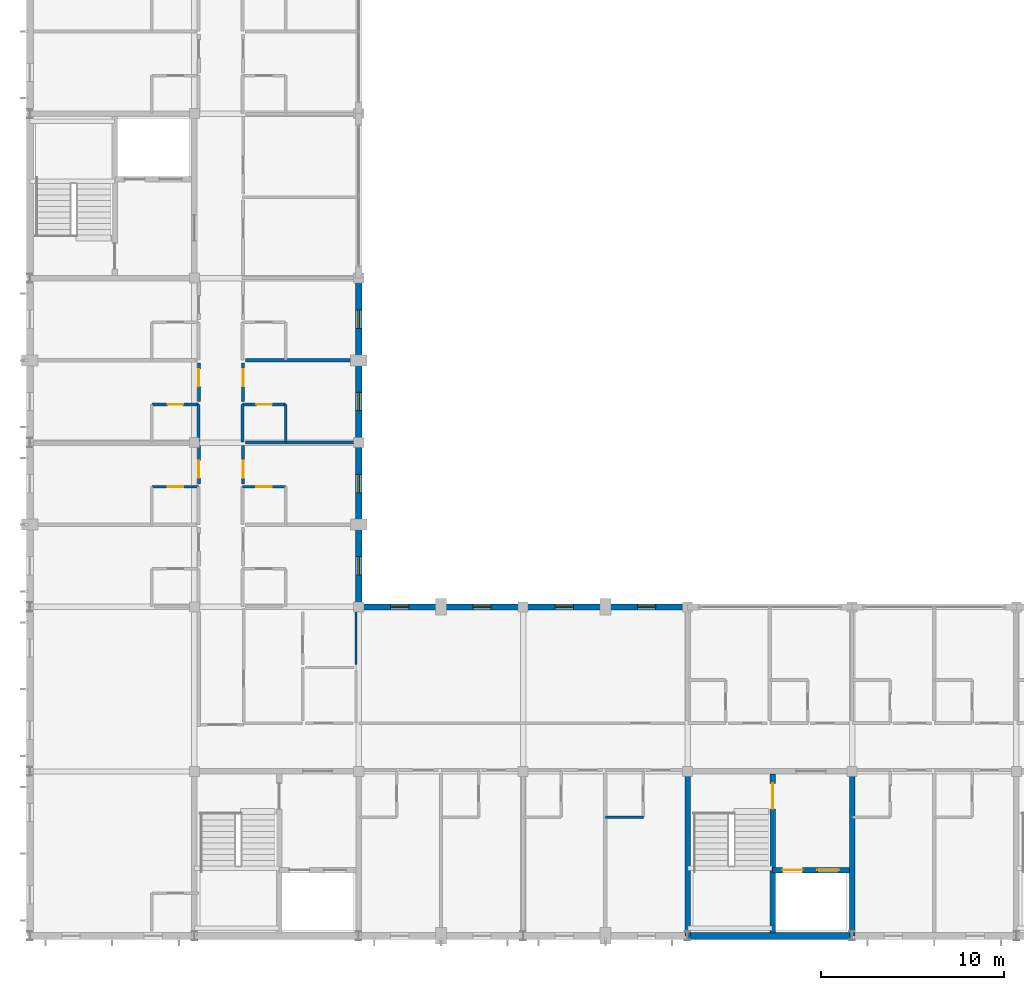
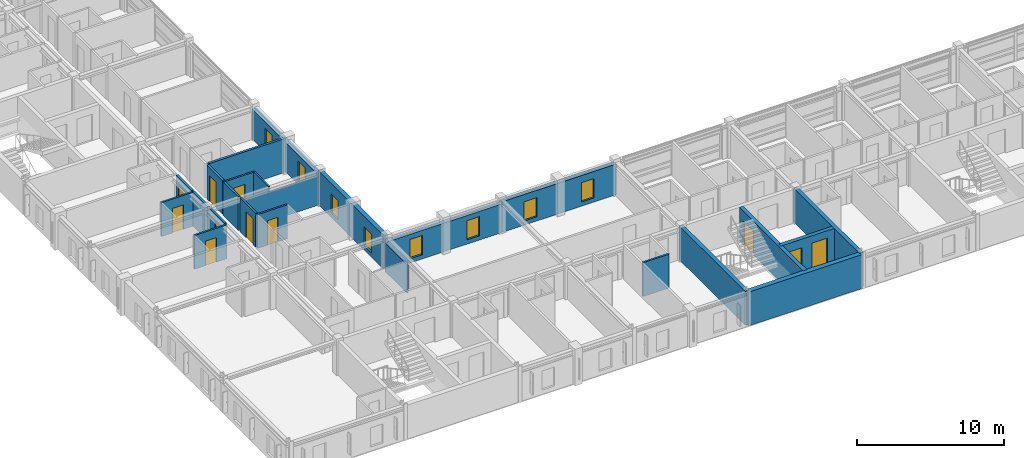
# One storey, part 19 of 37: 24 walls, 11 doors, 8 windows, 19 openings.
"""IFC4 building model written with IfcOpenShell, lengths in metres."""

from ifc_helpers import new_model, si_unit, direction, frame, frame_2d, origin, place, context, subcontext, project, spatial, rectangle, extrude, material, layer, layer_set, type_object, element, fill, save


model = new_model("IFC4")

# Units and contexts
model_context = context("Model", 3, precision=1e-05, world=origin(), true_north=direction((0.0, 1.0)))
body_context = subcontext(model_context, "Body", "Model", "MODEL_VIEW")
ifc_project = project(units=[si_unit("LENGTHUNIT", "METRE"), si_unit("AREAUNIT", "SQUARE_METRE"), si_unit("VOLUMEUNIT", "CUBIC_METRE"), si_unit("PLANEANGLEUNIT", "RADIAN"), si_unit("MASSUNIT", "GRAM", prefix="KILO")], contexts=[model_context])

# Site, building, storey
site_placement = place(None, origin())
site = spatial("IfcSite", under=ifc_project, at=site_placement, CompositionType="ELEMENT")
building_placement = place(site_placement, origin())
building = spatial("IfcBuilding", under=site, at=building_placement, Name="Palais des Congres Ocreval", CompositionType="ELEMENT")
storey_placement = place(building_placement, frame((0.0, 0.0, 11.52001953125)))
storey = spatial("IfcBuildingStorey", under=building, at=storey_placement, Name="L03", CompositionType="ELEMENT", Elevation=11.52001953125)

# Wall
ifc_material_1 = material(Name="Moisture-resistant gypsum board")
ifc_layer_1 = layer(ifc_material_1, 0.139892578125)
ifc_layer_set_1 = layer_set([ifc_layer_1], Name="Bathroom Plumbing Chase Wall 140 Gypsum (Moisture-resistant gypsum board)")
wall_type_1 = type_object("IfcWallType", Name="Bathroom Plumbing Chase Wall 140 Gypsum", PredefinedType="PLUMBINGWALL", material=ifc_layer_set_1)
wall_1_placement = place(storey_placement, frame((31.52001953125, 6.5, 0.0), z_axis=(0.0, 0.0, 1.0), x_axis=(1.0, 0.0, 0.0)))
element("IfcWall", 1, at=wall_1_placement, inside=storey, type_object=wall_type_1, Name="Bathroom Plumbing Wall PW03 L03", PredefinedType="PLUMBINGWALL", context=body_context, shape_type="SweptSolid", body=[
    extrude(rectangle(XDim=2.06005859375, YDim=0.139892578125, at=frame_2d((1.030029296875, 0.0))), origin(), (0.0, 0.0, 1.0), 2.820068359375),
])

# Wall, opening, door
wall_2_placement = place(storey_placement, frame((6.679931640625, 24.580078125, 0.0), z_axis=(0.0, 0.0, 1.0), x_axis=(1.0, 0.0, 0.0)))
wall_2 = element("IfcWall", 2, at=wall_2_placement, inside=storey, type_object=wall_type_1, Name="Bathroom Plumbing Wall PW03 L03", PredefinedType="PLUMBINGWALL", context=body_context, shape_type="SweptSolid", body=[
    extrude(rectangle(XDim=2.56005859375, YDim=0.139892578125, at=frame_2d((1.280029296875, 0.0))), origin(), (0.0, 0.0, 1.0), 2.820068359375),
])
opening_1_placement = place(wall_2_placement, frame((0.85498046875, 0.0, 0.0)))
opening_1 = element("IfcOpeningElement", 3, at=opening_1_placement, cuts=wall_2, Name="Opening D08", PredefinedType="OPENING", context=body_context, shape_type="SweptSolid", body=[
    extrude(rectangle(XDim=0.85009765625, YDim=2.0400390625, at=frame_2d((0.425048828125, 1.02001953125))), frame((0.0, 0.079833984375, 0.0), z_axis=(0.0, -1.0, 0.0), x_axis=(1.0, 0.0, 0.0)), (0.0, 0.0, 1.0), 0.159912109375),
])
ifc_material_2 = material(Name="Solid French oak", Category="wood")
door_type_1 = type_object("IfcDoorType", Name="En-Suite Bathroom Door 850x2040", OperationType="NOTDEFINED", PredefinedType="DOOR", material=ifc_material_2)
door_1_placement = place(opening_1_placement, origin())
door_1 = element("IfcDoor", 4, at=door_1_placement, inside=storey, type_object=door_type_1, Name="En-Suite Bathroom Door D08 L03", OperationType="SINGLE_SWING_RIGHT", OverallHeight=2.0400390625, OverallWidth=0.85009765625, PredefinedType="DOOR", context=body_context, shape_type="SweptSolid", body=[
    extrude(rectangle(XDim=0.85009765625, YDim=2.0400390625, at=frame_2d((0.425048828125, 1.02001953125))), frame((0.0, 0.02490234375, 0.0), z_axis=(0.0, -1.0, 0.0), x_axis=(1.0, 0.0, 0.0)), (0.0, 0.0, 1.0), 0.050048828125),
])
fill(opening_1, door_1)

wall_3_placement = place(storey_placement, frame((11.639892578125, 24.580078125, 0.0), z_axis=(0.0, 0.0, 1.0), x_axis=(1.0, 0.0, 0.0)))
wall_3 = element("IfcWall", 5, at=wall_3_placement, inside=storey, type_object=wall_type_1, Name="Bathroom Plumbing Wall PW03 L03", PredefinedType="PLUMBINGWALL", context=body_context, shape_type="SweptSolid", body=[
    extrude(rectangle(XDim=2.360107421875, YDim=0.139892578125, at=frame_2d((1.18017578125, 0.0))), origin(), (0.0, 0.0, 1.0), 2.820068359375),
])
opening_2_placement = place(wall_3_placement, frame((0.7548828125, 0.0, 0.0)))
opening_2 = element("IfcOpeningElement", 6, at=opening_2_placement, cuts=wall_3, Name="Opening D08", PredefinedType="OPENING", context=body_context, shape_type="SweptSolid", body=[
    extrude(rectangle(XDim=0.85009765625, YDim=2.0400390625, at=frame_2d((0.425048828125, 1.02001953125))), frame((0.0, 0.079833984375, 0.0), z_axis=(0.0, -1.0, 0.0), x_axis=(1.0, 0.0, 0.0)), (0.0, 0.0, 1.0), 0.159912109375),
])
door_2_placement = place(opening_2_placement, origin())
door_2 = element("IfcDoor", 7, at=door_2_placement, inside=storey, type_object=door_type_1, Name="En-Suite Bathroom Door D08 L03", OperationType="SINGLE_SWING_RIGHT", OverallHeight=2.0400390625, OverallWidth=0.85009765625, PredefinedType="DOOR", context=body_context, shape_type="SweptSolid", body=[
    extrude(rectangle(XDim=0.85009765625, YDim=2.0400390625, at=frame_2d((0.425048828125, 1.02001953125))), frame((0.0, 0.02490234375, 0.0), z_axis=(0.0, -1.0, 0.0), x_axis=(1.0, 0.0, 0.0)), (0.0, 0.0, 1.0), 0.050048828125),
])
fill(opening_2, door_2)

wall_4_placement = place(storey_placement, frame((6.679931640625, 29.080078125, 0.0), z_axis=(0.0, 0.0, 1.0), x_axis=(1.0, 0.0, 0.0)))
wall_4 = element("IfcWall", 8, at=wall_4_placement, inside=storey, type_object=wall_type_1, Name="Bathroom Plumbing Wall PW03 L03", PredefinedType="PLUMBINGWALL", context=body_context, shape_type="SweptSolid", body=[
    extrude(rectangle(XDim=2.56005859375, YDim=0.139892578125, at=frame_2d((1.280029296875, 0.0))), origin(), (0.0, 0.0, 1.0), 2.820068359375),
])
opening_3_placement = place(wall_4_placement, frame((0.85498046875, 0.0, 0.0)))
opening_3 = element("IfcOpeningElement", 9, at=opening_3_placement, cuts=wall_4, Name="Opening D08", PredefinedType="OPENING", context=body_context, shape_type="SweptSolid", body=[
    extrude(rectangle(XDim=0.85009765625, YDim=2.0400390625, at=frame_2d((0.425048828125, 1.02001953125))), frame((0.0, 0.079833984375, 0.0), z_axis=(0.0, -1.0, 0.0), x_axis=(1.0, 0.0, 0.0)), (0.0, 0.0, 1.0), 0.159912109375),
])
door_3_placement = place(opening_3_placement, origin())
door_3 = element("IfcDoor", 10, at=door_3_placement, inside=storey, type_object=door_type_1, Name="En-Suite Bathroom Door D08 L03", OperationType="SINGLE_SWING_LEFT", OverallHeight=2.0400390625, OverallWidth=0.85009765625, PredefinedType="DOOR", context=body_context, shape_type="SweptSolid", body=[
    extrude(rectangle(XDim=0.85009765625, YDim=2.0400390625, at=frame_2d((0.425048828125, 1.02001953125))), frame((0.0, 0.02490234375, 0.0), z_axis=(0.0, -1.0, 0.0), x_axis=(1.0, 0.0, 0.0)), (0.0, 0.0, 1.0), 0.050048828125),
])
fill(opening_3, door_3)

wall_5_placement = place(storey_placement, frame((11.639892578125, 29.080078125, 0.0), z_axis=(0.0, 0.0, 1.0), x_axis=(1.0, 0.0, 0.0)))
wall_5 = element("IfcWall", 11, at=wall_5_placement, inside=storey, type_object=wall_type_1, Name="Bathroom Plumbing Wall PW03 L03", PredefinedType="PLUMBINGWALL", context=body_context, shape_type="SweptSolid", body=[
    extrude(rectangle(XDim=2.360107421875, YDim=0.139892578125, at=frame_2d((1.18017578125, 0.0))), origin(), (0.0, 0.0, 1.0), 2.820068359375),
])
opening_4_placement = place(wall_5_placement, frame((0.7548828125, 0.0, 0.0)))
opening_4 = element("IfcOpeningElement", 12, at=opening_4_placement, cuts=wall_5, Name="Opening D08", PredefinedType="OPENING", context=body_context, shape_type="SweptSolid", body=[
    extrude(rectangle(XDim=0.85009765625, YDim=2.0400390625, at=frame_2d((0.425048828125, 1.02001953125))), frame((0.0, 0.079833984375, 0.0), z_axis=(0.0, -1.0, 0.0), x_axis=(1.0, 0.0, 0.0)), (0.0, 0.0, 1.0), 0.159912109375),
])
door_4_placement = place(opening_4_placement, origin())
door_4 = element("IfcDoor", 13, at=door_4_placement, inside=storey, type_object=door_type_1, Name="En-Suite Bathroom Door D08 L03", OperationType="SINGLE_SWING_LEFT", OverallHeight=2.0400390625, OverallWidth=0.85009765625, PredefinedType="DOOR", context=body_context, shape_type="SweptSolid", body=[
    extrude(rectangle(XDim=0.85009765625, YDim=2.0400390625, at=frame_2d((0.425048828125, 1.02001953125))), frame((0.0, 0.02490234375, 0.0), z_axis=(0.0, -1.0, 0.0), x_axis=(1.0, 0.0, 0.0)), (0.0, 0.0, 1.0), 0.050048828125),
])
fill(opening_4, door_4)

# Walls
wall_6_placement = place(storey_placement, frame((14.0, 27.02001953125, 0.0), z_axis=(0.0, 0.0, 1.0), x_axis=(0.0, 1.0, 0.0)))
element("IfcWall", 14, at=wall_6_placement, inside=storey, type_object=wall_type_1, Name="Bathroom Plumbing Wall PW03 L03", PredefinedType="PLUMBINGWALL", context=body_context, shape_type="SweptSolid", body=[
    extrude(rectangle(XDim=2.06005859375, YDim=0.139892578125, at=frame_2d((1.030029296875, 0.0))), origin(), (0.0, 0.0, 1.0), 2.820068359375),
])
ifc_material_3 = material(Name="Concrete C40/50", Category="concrete")
ifc_layer_2 = layer(ifc_material_3, 0.300048828125)
ifc_layer_set_2 = layer_set([ifc_layer_2], Name="Core Shear Wall 300 Concrete C40/50")
wall_type_2 = type_object("IfcWallType", Name="Core Shear Wall 300 Concrete C40/50", PredefinedType="SHEAR", material=ifc_layer_set_2)
for number, where, z_axis, x_axis, name in (
    (15, (45.0, 0.0, 0.0), (0.0, 0.0, 1.0), (0.0, 1.0, 0.0), "Core Shear Wall SC02 L03 E"),
    (16, (36.0, 0.0, 0.0), (0.0, 0.0, 1.0), (0.0, 1.0, 0.0), "Core Shear Wall SC02 L03 W"),
):
    element("IfcWall", number, at=place(storey_placement, frame(where, z_axis=z_axis, x_axis=x_axis)), inside=storey, type_object=wall_type_2, Name=name, PredefinedType="SHEAR", context=body_context, shape_type="SweptSolid", body=[
        extrude(rectangle(XDim=9.0, YDim=0.300048828125, at=frame_2d((4.5, 0.0))), origin(), (0.0, 0.0, 1.0), 2.820068359375),
    ])

# Wall, opening, door
wall_7_placement = place(storey_placement, frame((40.64990234375, 0.14990234375, 0.0), z_axis=(0.0, 0.0, 1.0), x_axis=(0.0, 1.0, 0.0)))
wall_7 = element("IfcWall", 17, at=wall_7_placement, inside=storey, type_object=wall_type_2, Name="Core Spine Shear Wall SC02 L03", PredefinedType="SHEAR", context=body_context, shape_type="SweptSolid", body=[
    extrude(rectangle(XDim=8.7001953125, YDim=0.300048828125, at=frame_2d((4.35009765625, 0.0))), origin(), (0.0, 0.0, 1.0), 2.820068359375),
])
opening_5_placement = place(wall_7_placement, frame((6.800048828125, 0.0, 0.0)))
opening_5 = element("IfcOpeningElement", 18, at=opening_5_placement, cuts=wall_7, Name="Opening D03", PredefinedType="OPENING", context=body_context, shape_type="SweptSolid", body=[
    extrude(rectangle(XDim=1.39990234375, YDim=2.02001953125, at=frame_2d((0.699951171875, 1.010009765625))), frame((0.0, 0.159912109375, 0.0), z_axis=(0.0, -1.0, 0.0), x_axis=(1.0, 0.0, 0.0)), (0.0, 0.0, 1.0), 0.320068359375),
])
ifc_material_4 = material(Name="Painted fire-rated steel", Category="steel")
door_type_2 = type_object("IfcDoorType", Name="Core Lobby Rated Door 1400x2020", OperationType="NOTDEFINED", PredefinedType="DOOR", material=ifc_material_4)
door_5_placement = place(opening_5_placement, origin())
door_5 = element("IfcDoor", 19, at=door_5_placement, inside=storey, type_object=door_type_2, Name="Protected Exit Stair Door ST02 L03", OperationType="SINGLE_SWING_RIGHT", OverallHeight=2.02001953125, OverallWidth=1.39990234375, PredefinedType="DOOR", context=body_context, shape_type="SweptSolid", body=[
    extrude(rectangle(XDim=1.39990234375, YDim=2.02001953125, at=frame_2d((0.699951171875, 1.010009765625))), frame((0.0, 0.02490234375, 0.0), z_axis=(0.0, -1.0, 0.0), x_axis=(1.0, 0.0, 0.0)), (0.0, 0.0, 1.0), 0.050048828125),
])
fill(opening_5, door_5)

# Wall, openings, doors
wall_8_placement = place(storey_placement, frame((40.64990234375, 3.60009765625, 0.0), z_axis=(0.0, 0.0, 1.0), x_axis=(1.0, 0.0, 0.0)))
wall_8 = element("IfcWall", 20, at=wall_8_placement, inside=storey, type_object=wall_type_2, Name="Lift Shaft Front Wall SC02 L03", PredefinedType="SHEAR", context=body_context, shape_type="SweptSolid", body=[
    extrude(rectangle(XDim=4.2001953125, YDim=0.300048828125, at=frame_2d((2.10009765625, 0.0))), origin(), (0.0, 0.0, 1.0), 2.820068359375),
])
opening_6_placement = place(wall_8_placement, frame((0.550048828125, 0.0, 0.0)))
opening_6 = element("IfcOpeningElement", 21, at=opening_6_placement, cuts=wall_8, Name="Opening LD01", PredefinedType="OPENING", context=body_context, shape_type="SweptSolid", body=[
    extrude(rectangle(XDim=1.10009765625, YDim=2.10009765625, at=frame_2d((0.550048828125, 1.050048828125))), frame((0.0, 0.159912109375, 0.0), z_axis=(0.0, -1.0, 0.0), x_axis=(1.0, 0.0, 0.0)), (0.0, 0.0, 1.0), 0.320068359375),
])
opening_7_placement = place(wall_8_placement, frame((2.449951171875, 0.0, 0.0)))
opening_7 = element("IfcOpeningElement", 22, at=opening_7_placement, cuts=wall_8, Name="Opening LD02", PredefinedType="OPENING", context=body_context, shape_type="SweptSolid", body=[
    extrude(rectangle(XDim=1.199951171875, YDim=2.199951171875, at=frame_2d((0.60009765625, 1.10009765625))), frame((0.0, 0.159912109375, 0.0), z_axis=(0.0, -1.0, 0.0), x_axis=(1.0, 0.0, 0.0)), (0.0, 0.0, 1.0), 0.320068359375),
])
ifc_material_5 = material(Name="Stainless steel", Category="steel")
door_type_3 = type_object("IfcDoorType", Name="Firefighting Lift Sliding Landing Door 1100x2100", OperationType="NOTDEFINED", PredefinedType="DOOR", material=ifc_material_5)
door_6_placement = place(opening_6_placement, origin())
door_6 = element("IfcDoor", 23, at=door_6_placement, inside=storey, type_object=door_type_3, Name="Lift Landing Sliding Door FF2 L03", OperationType="DOUBLE_DOOR_SLIDING", OverallHeight=2.10009765625, OverallWidth=1.10009765625, PredefinedType="DOOR", context=body_context, shape_type="SweptSolid", body=[
    extrude(rectangle(XDim=1.10009765625, YDim=2.10009765625, at=frame_2d((0.550048828125, 1.050048828125))), frame((0.0, 0.02490234375, 0.0), z_axis=(0.0, -1.0, 0.0), x_axis=(1.0, 0.0, 0.0)), (0.0, 0.0, 1.0), 0.050048828125),
])
fill(opening_6, door_6)
ifc_material_6 = material(Name="Anodized bronze steel", Category="steel")
door_type_4 = type_object("IfcDoorType", Name="Passenger and Service Lift Sliding Door 1200x2200", OperationType="NOTDEFINED", PredefinedType="DOOR", material=ifc_material_6)
door_7_placement = place(opening_7_placement, origin())
door_7 = element("IfcDoor", 24, at=door_7_placement, inside=storey, type_object=door_type_4, Name="Lift Landing Sliding Door PL2 L03", OperationType="DOUBLE_DOOR_SLIDING", OverallHeight=2.199951171875, OverallWidth=1.199951171875, PredefinedType="DOOR", context=body_context, shape_type="SweptSolid", body=[
    extrude(rectangle(XDim=1.199951171875, YDim=2.199951171875, at=frame_2d((0.60009765625, 1.10009765625))), frame((0.0, 0.02490234375, 0.0), z_axis=(0.0, -1.0, 0.0), x_axis=(1.0, 0.0, 0.0)), (0.0, 0.0, 1.0), 0.050048828125),
])
fill(opening_7, door_7)

# Walls
ifc_material_7 = material(Name="Gypsum acoustic partition")
ifc_layer_3 = layer(ifc_material_7, 0.159912109375)
ifc_layer_set_3 = layer_set([ifc_layer_3], Name="Corridor Fire Partition 160 Gypsum (Gypsum acoustic partition)")
wall_type_3 = type_object("IfcWallType", Name="Corridor Fire Partition 160 Gypsum", PredefinedType="PARTITIONING", material=ifc_layer_set_3)
for number, where, z_axis, x_axis, name in (
    (25, (9.239990234375, 27.02001953125, 0.0), (0.0, 0.0, 1.0), (0.0, 1.0, 0.0), "Corridor Partition IW03 L03"),
    (26, (11.639892578125, 27.02001953125, 0.0), (0.0, 0.0, 1.0), (0.0, 1.0, 0.0), "Corridor Partition IW03 L03"),
):
    element("IfcWall", number, at=place(storey_placement, frame(where, z_axis=z_axis, x_axis=x_axis)), inside=storey, type_object=wall_type_3, Name=name, PredefinedType="PARTITIONING", context=body_context, shape_type="SweptSolid", body=[
        extrude(rectangle(XDim=2.06005859375, YDim=0.159912109375, at=frame_2d((1.030029296875, 0.0))), origin(), (0.0, 0.0, 1.0), 2.820068359375),
    ])

# Wall, opening, door
wall_9_placement = place(storey_placement, frame((9.25, 24.735107421875, 0.0), z_axis=(0.0, 0.0, 1.0), x_axis=(0.0, 1.0, 0.0)))
wall_9 = element("IfcWall", 27, at=wall_9_placement, inside=storey, type_object=wall_type_3, Name="Interior Partition IW03 L03", PredefinedType="PARTITIONING", context=body_context, shape_type="SweptSolid", body=[
    extrude(rectangle(XDim=2.10986328125, YDim=0.159912109375, at=frame_2d((1.054931640625, 0.0))), origin(), (0.0, 0.0, 1.0), 2.820068359375),
])
opening_8_placement = place(wall_9_placement, frame((0.326904296875, 0.0, 0.0)))
opening_8 = element("IfcOpeningElement", 28, at=opening_8_placement, cuts=wall_9, Name="Opening D05", PredefinedType="OPENING", context=body_context, shape_type="SweptSolid", body=[
    extrude(rectangle(XDim=0.949951171875, YDim=2.14990234375, at=frame_2d((0.47509765625, 1.074951171875))), frame((0.0, 0.08984375, 0.0), z_axis=(0.0, -1.0, 0.0), x_axis=(1.0, 0.0, 0.0)), (0.0, 0.0, 1.0), 0.179931640625),
])
door_type_5 = type_object("IfcDoorType", Name="Hotel Guestroom Entrance Door 950x2150", OperationType="NOTDEFINED", PredefinedType="DOOR", material=ifc_material_2)
door_8_placement = place(opening_8_placement, origin())
door_8 = element("IfcDoor", 29, at=door_8_placement, inside=storey, type_object=door_type_5, Name="Interior Door D05 L03", OperationType="SINGLE_SWING_RIGHT", OverallHeight=2.14990234375, OverallWidth=0.949951171875, PredefinedType="DOOR", context=body_context, shape_type="SweptSolid", body=[
    extrude(rectangle(XDim=0.949951171875, YDim=2.14990234375, at=frame_2d((0.47509765625, 1.074951171875))), frame((0.0, 0.02490234375, 0.0), z_axis=(0.0, -1.0, 0.0), x_axis=(1.0, 0.0, 0.0)), (0.0, 0.0, 1.0), 0.050048828125),
])
fill(opening_8, door_8)

wall_10_placement = place(storey_placement, frame((11.669921875, 24.735107421875, 0.0), z_axis=(0.0, 0.0, 1.0), x_axis=(0.0, 1.0, 0.0)))
wall_10 = element("IfcWall", 30, at=wall_10_placement, inside=storey, type_object=wall_type_3, Name="Interior Partition IW03 L03", PredefinedType="PARTITIONING", context=body_context, shape_type="SweptSolid", body=[
    extrude(rectangle(XDim=2.10986328125, YDim=0.159912109375, at=frame_2d((1.054931640625, 0.0))), origin(), (0.0, 0.0, 1.0), 2.820068359375),
])
opening_9_placement = place(wall_10_placement, frame((0.326904296875, 0.0, 0.0)))
opening_9 = element("IfcOpeningElement", 31, at=opening_9_placement, cuts=wall_10, Name="Opening D05", PredefinedType="OPENING", context=body_context, shape_type="SweptSolid", body=[
    extrude(rectangle(XDim=0.949951171875, YDim=2.14990234375, at=frame_2d((0.47509765625, 1.074951171875))), frame((0.0, 0.08984375, 0.0), z_axis=(0.0, -1.0, 0.0), x_axis=(1.0, 0.0, 0.0)), (0.0, 0.0, 1.0), 0.179931640625),
])
door_9_placement = place(opening_9_placement, origin())
door_9 = element("IfcDoor", 32, at=door_9_placement, inside=storey, type_object=door_type_5, Name="Interior Door D05 L03", OperationType="SINGLE_SWING_RIGHT", OverallHeight=2.14990234375, OverallWidth=0.949951171875, PredefinedType="DOOR", context=body_context, shape_type="SweptSolid", body=[
    extrude(rectangle(XDim=0.949951171875, YDim=2.14990234375, at=frame_2d((0.47509765625, 1.074951171875))), frame((0.0, 0.02490234375, 0.0), z_axis=(0.0, -1.0, 0.0), x_axis=(1.0, 0.0, 0.0)), (0.0, 0.0, 1.0), 0.050048828125),
])
fill(opening_9, door_9)

wall_11_placement = place(storey_placement, frame((9.25, 29.235107421875, 0.0), z_axis=(0.0, 0.0, 1.0), x_axis=(0.0, 1.0, 0.0)))
wall_11 = element("IfcWall", 33, at=wall_11_placement, inside=storey, type_object=wall_type_3, Name="Interior Partition IW03 L03", PredefinedType="PARTITIONING", context=body_context, shape_type="SweptSolid", body=[
    extrude(rectangle(XDim=2.10986328125, YDim=0.159912109375, at=frame_2d((1.054931640625, 0.0))), origin(), (0.0, 0.0, 1.0), 2.820068359375),
])
opening_10_placement = place(wall_11_placement, frame((0.833251953125, 0.0, 0.0)))
opening_10 = element("IfcOpeningElement", 34, at=opening_10_placement, cuts=wall_11, Name="Opening D05", PredefinedType="OPENING", context=body_context, shape_type="SweptSolid", body=[
    extrude(rectangle(XDim=0.949951171875, YDim=2.14990234375, at=frame_2d((0.47509765625, 1.074951171875))), frame((0.0, 0.08984375, 0.0), z_axis=(0.0, -1.0, 0.0), x_axis=(1.0, 0.0, 0.0)), (0.0, 0.0, 1.0), 0.179931640625),
])
door_10_placement = place(opening_10_placement, origin())
door_10 = element("IfcDoor", 35, at=door_10_placement, inside=storey, type_object=door_type_5, Name="Interior Door D05 L03", OperationType="SINGLE_SWING_LEFT", OverallHeight=2.14990234375, OverallWidth=0.949951171875, PredefinedType="DOOR", context=body_context, shape_type="SweptSolid", body=[
    extrude(rectangle(XDim=0.949951171875, YDim=2.14990234375, at=frame_2d((0.47509765625, 1.074951171875))), frame((0.0, 0.02490234375, 0.0), z_axis=(0.0, -1.0, 0.0), x_axis=(1.0, 0.0, 0.0)), (0.0, 0.0, 1.0), 0.050048828125),
])
fill(opening_10, door_10)

wall_12_placement = place(storey_placement, frame((11.669921875, 29.235107421875, 0.0), z_axis=(0.0, 0.0, 1.0), x_axis=(0.0, 1.0, 0.0)))
wall_12 = element("IfcWall", 36, at=wall_12_placement, inside=storey, type_object=wall_type_3, Name="Interior Partition IW03 L03", PredefinedType="PARTITIONING", context=body_context, shape_type="SweptSolid", body=[
    extrude(rectangle(XDim=2.10986328125, YDim=0.159912109375, at=frame_2d((1.054931640625, 0.0))), origin(), (0.0, 0.0, 1.0), 2.820068359375),
])
opening_11_placement = place(wall_12_placement, frame((0.833251953125, 0.0, 0.0)))
opening_11 = element("IfcOpeningElement", 37, at=opening_11_placement, cuts=wall_12, Name="Opening D05", PredefinedType="OPENING", context=body_context, shape_type="SweptSolid", body=[
    extrude(rectangle(XDim=0.949951171875, YDim=2.14990234375, at=frame_2d((0.47509765625, 1.074951171875))), frame((0.0, 0.08984375, 0.0), z_axis=(0.0, -1.0, 0.0), x_axis=(1.0, 0.0, 0.0)), (0.0, 0.0, 1.0), 0.179931640625),
])
door_11_placement = place(opening_11_placement, origin())
door_11 = element("IfcDoor", 38, at=door_11_placement, inside=storey, type_object=door_type_5, Name="Interior Door D05 L03", OperationType="SINGLE_SWING_LEFT", OverallHeight=2.14990234375, OverallWidth=0.949951171875, PredefinedType="DOOR", context=body_context, shape_type="SweptSolid", body=[
    extrude(rectangle(XDim=0.949951171875, YDim=2.14990234375, at=frame_2d((0.47509765625, 1.074951171875))), frame((0.0, 0.02490234375, 0.0), z_axis=(0.0, -1.0, 0.0), x_axis=(1.0, 0.0, 0.0)), (0.0, 0.0, 1.0), 0.050048828125),
])
fill(opening_11, door_11)

# Walls
ifc_layer_4 = layer(ifc_material_7, 0.179931640625)
ifc_layer_set_4 = layer_set([ifc_layer_4], Name="Hotel Inter-Room Acoustic Partition 180 Gypsum (Gypsum acoustic partition)")
wall_type_4 = type_object("IfcWallType", Name="Hotel Inter-Room Acoustic Partition 180 Gypsum", PredefinedType="PARTITIONING", material=ifc_layer_set_4)
wall_13_placement = place(storey_placement, frame((11.794921875, 27.0, 0.0), z_axis=(0.0, 0.0, 1.0), x_axis=(1.0, 0.0, 0.0)))
element("IfcWall", 39, at=wall_13_placement, inside=storey, type_object=wall_type_4, Name="Hotel Party Partition IW02 L03", PredefinedType="PARTITIONING", context=body_context, shape_type="SweptSolid", body=[
    extrude(rectangle(XDim=6.030029296875, YDim=0.179931640625, at=frame_2d((3.01513671875, 0.0))), origin(), (0.0, 0.0, 1.0), 2.389892578125),
])
wall_14_placement = place(storey_placement, frame((11.794921875, 31.5, 0.0), z_axis=(0.0, 0.0, 1.0), x_axis=(1.0, 0.0, 0.0)))
element("IfcWall", 40, at=wall_14_placement, inside=storey, type_object=wall_type_4, Name="Hotel Party Partition IW02 L03", PredefinedType="PARTITIONING", context=body_context, shape_type="SweptSolid", body=[
    extrude(rectangle(XDim=6.030029296875, YDim=0.179931640625, at=frame_2d((3.01513671875, 0.0))), origin(), (0.0, 0.0, 1.0), 2.820068359375),
])
ifc_layer_5 = layer(ifc_material_3, 0.3798828125)
ifc_layer_set_5 = layer_set([ifc_layer_5], Name="Lutetian Limestone Street Wall 380 Concrete C40/50")
wall_type_5 = type_object("IfcWallType", Name="Lutetian Limestone Street Wall 380 Concrete C40/50", PredefinedType="SOLIDWALL", material=ifc_layer_set_5)
wall_15_placement = place(storey_placement, frame((45.0, 0.0, 0.0), z_axis=(0.0, 0.0, 1.0), x_axis=(-1.0, 0.0, 0.0)))
element("IfcWall", 41, at=wall_15_placement, inside=storey, type_object=wall_type_5, Name="Core Perimeter Shear Wall EW03 SC02 L03", PredefinedType="SOLIDWALL", context=body_context, shape_type="SweptSolid", body=[
    extrude(rectangle(XDim=9.0, YDim=0.3798828125, at=frame_2d((4.5, 0.0))), origin(), (0.0, 0.0, 1.0), 2.820068359375),
])

# Wall, openings, windows
ifc_layer_6 = layer(ifc_material_3, 0.340087890625)
ifc_layer_set_6 = layer_set([ifc_layer_6], Name="Ochre Mineral-Lime Courtyard Wall 340 Concrete C40/50")
wall_type_6 = type_object("IfcWallType", Name="Ochre Mineral-Lime Courtyard Wall 340 Concrete C40/50", PredefinedType="SOLIDWALL", material=ifc_layer_set_6)
wall_16_placement = place(storey_placement, frame((18.0, 36.0, 0.0), z_axis=(0.0, 0.0, 1.0), x_axis=(0.0, -1.0, 0.0)))
wall_16 = element("IfcWall", 42, at=wall_16_placement, inside=storey, type_object=wall_type_6, Name="Exterior Wall EW04 L03", PredefinedType="SOLIDWALL", context=body_context, shape_type="SweptSolid", body=[
    extrude(rectangle(XDim=9.0, YDim=0.340087890625, at=frame_2d((4.5, 0.0))), origin(), (0.0, 0.0, 1.0), 2.47998046875),
])
opening_12_placement = place(wall_16_placement, frame((1.75, 0.0, 0.35009765625)))
opening_12 = element("IfcOpeningElement", 43, at=opening_12_placement, cuts=wall_16, Name="Opening WN18", PredefinedType="OPENING", context=body_context, shape_type="SweptSolid", body=[
    extrude(rectangle(XDim=1.0, YDim=1.60009765625, at=frame_2d((0.5, 0.800048828125))), frame((0.0, 0.179931640625, 0.0), z_axis=(0.0, -1.0, 0.0), x_axis=(1.0, 0.0, 0.0)), (0.0, 0.0, 1.0), 0.360107421875),
])
opening_13_placement = place(wall_16_placement, frame((6.25, 0.0, 0.35009765625)))
opening_13 = element("IfcOpeningElement", 44, at=opening_13_placement, cuts=wall_16, Name="Opening WN18", PredefinedType="OPENING", context=body_context, shape_type="SweptSolid", body=[
    extrude(rectangle(XDim=1.0, YDim=1.60009765625, at=frame_2d((0.5, 0.800048828125))), frame((0.0, 0.179931640625, 0.0), z_axis=(0.0, -1.0, 0.0), x_axis=(1.0, 0.0, 0.0)), (0.0, 0.0, 1.0), 0.360107421875),
])
ifc_material_8 = material(Name="Anodized bronze aluminium and low-E glass", Category="glass")
window_type = type_object("IfcWindowType", Name="Stair and Lobby Daylight Window 1000x1600", PartitioningType="SINGLE_PANEL", PredefinedType="WINDOW", material=ifc_material_8)
window_1_placement = place(opening_12_placement, origin())
window_1 = element("IfcWindow", 45, at=window_1_placement, inside=storey, type_object=window_type, Name="Hotel Facade Window WN18", OverallHeight=1.60009765625, OverallWidth=1.0, PartitioningType="SINGLE_PANEL", PredefinedType="WINDOW", context=body_context, shape_type="SweptSolid", body=[
    extrude(rectangle(XDim=1.0, YDim=1.60009765625, at=frame_2d((0.5, 0.800048828125))), frame((0.0, 0.030029296875, 0.0), z_axis=(0.0, -1.0, 0.0), x_axis=(1.0, 0.0, 0.0)), (0.0, 0.0, 1.0), 0.06005859375),
])
fill(opening_12, window_1)
window_2_placement = place(opening_13_placement, origin())
window_2 = element("IfcWindow", 46, at=window_2_placement, inside=storey, type_object=window_type, Name="Hotel Facade Window WN18", OverallHeight=1.60009765625, OverallWidth=1.0, PartitioningType="SINGLE_PANEL", PredefinedType="WINDOW", context=body_context, shape_type="SweptSolid", body=[
    extrude(rectangle(XDim=1.0, YDim=1.60009765625, at=frame_2d((0.5, 0.800048828125))), frame((0.0, 0.030029296875, 0.0), z_axis=(0.0, -1.0, 0.0), x_axis=(1.0, 0.0, 0.0)), (0.0, 0.0, 1.0), 0.06005859375),
])
fill(opening_13, window_2)

wall_17_placement = place(storey_placement, frame((18.0, 27.0, 0.0), z_axis=(0.0, 0.0, 1.0), x_axis=(0.0, -1.0, 0.0)))
wall_17 = element("IfcWall", 47, at=wall_17_placement, inside=storey, type_object=wall_type_6, Name="Exterior Wall EW04 L03", PredefinedType="SOLIDWALL", context=body_context, shape_type="SweptSolid", body=[
    extrude(rectangle(XDim=8.844970703125, YDim=0.340087890625, at=frame_2d((4.42236328125, 0.0))), origin(), (0.0, 0.0, 1.0), 2.820068359375),
])
opening_14_placement = place(wall_17_placement, frame((1.75, 0.0, 0.35009765625)))
opening_14 = element("IfcOpeningElement", 48, at=opening_14_placement, cuts=wall_17, Name="Opening WN18", PredefinedType="OPENING", context=body_context, shape_type="SweptSolid", body=[
    extrude(rectangle(XDim=1.0, YDim=1.60009765625, at=frame_2d((0.5, 0.800048828125))), frame((0.0, 0.179931640625, 0.0), z_axis=(0.0, -1.0, 0.0), x_axis=(1.0, 0.0, 0.0)), (0.0, 0.0, 1.0), 0.360107421875),
])
opening_15_placement = place(wall_17_placement, frame((6.25, 0.0, 0.35009765625)))
opening_15 = element("IfcOpeningElement", 49, at=opening_15_placement, cuts=wall_17, Name="Opening WN18", PredefinedType="OPENING", context=body_context, shape_type="SweptSolid", body=[
    extrude(rectangle(XDim=1.0, YDim=1.60009765625, at=frame_2d((0.5, 0.800048828125))), frame((0.0, 0.179931640625, 0.0), z_axis=(0.0, -1.0, 0.0), x_axis=(1.0, 0.0, 0.0)), (0.0, 0.0, 1.0), 0.360107421875),
])
window_3_placement = place(opening_14_placement, origin())
window_3 = element("IfcWindow", 50, at=window_3_placement, inside=storey, type_object=window_type, Name="Hotel Facade Window WN18", OverallHeight=1.60009765625, OverallWidth=1.0, PartitioningType="SINGLE_PANEL", PredefinedType="WINDOW", context=body_context, shape_type="SweptSolid", body=[
    extrude(rectangle(XDim=1.0, YDim=1.60009765625, at=frame_2d((0.5, 0.800048828125))), frame((0.0, 0.030029296875, 0.0), z_axis=(0.0, -1.0, 0.0), x_axis=(1.0, 0.0, 0.0)), (0.0, 0.0, 1.0), 0.06005859375),
])
fill(opening_14, window_3)
window_4_placement = place(opening_15_placement, origin())
window_4 = element("IfcWindow", 51, at=window_4_placement, inside=storey, type_object=window_type, Name="Hotel Facade Window WN18", OverallHeight=1.60009765625, OverallWidth=1.0, PartitioningType="SINGLE_PANEL", PredefinedType="WINDOW", context=body_context, shape_type="SweptSolid", body=[
    extrude(rectangle(XDim=1.0, YDim=1.60009765625, at=frame_2d((0.5, 0.800048828125))), frame((0.0, 0.030029296875, 0.0), z_axis=(0.0, -1.0, 0.0), x_axis=(1.0, 0.0, 0.0)), (0.0, 0.0, 1.0), 0.06005859375),
])
fill(opening_15, window_4)

wall_18_placement = place(storey_placement, frame((18.0, 18.0, 0.0), z_axis=(0.0, 0.0, 1.0), x_axis=(1.0, 0.0, 0.0)))
wall_18 = element("IfcWall", 52, at=wall_18_placement, inside=storey, type_object=wall_type_6, Name="Exterior Wall EW04 L03", PredefinedType="SOLIDWALL", context=body_context, shape_type="SweptSolid", body=[
    extrude(rectangle(XDim=9.0, YDim=0.340087890625, at=frame_2d((4.5, 0.0))), origin(), (0.0, 0.0, 1.0), 2.3798828125),
])
opening_16_placement = place(wall_18_placement, frame((1.75, 0.0, 0.35009765625)))
opening_16 = element("IfcOpeningElement", 53, at=opening_16_placement, cuts=wall_18, Name="Opening WN18", PredefinedType="OPENING", context=body_context, shape_type="SweptSolid", body=[
    extrude(rectangle(XDim=1.0, YDim=1.60009765625, at=frame_2d((0.5, 0.800048828125))), frame((0.0, 0.179931640625, 0.0), z_axis=(0.0, -1.0, 0.0), x_axis=(1.0, 0.0, 0.0)), (0.0, 0.0, 1.0), 0.360107421875),
])
opening_17_placement = place(wall_18_placement, frame((6.25, 0.0, 0.35009765625)))
opening_17 = element("IfcOpeningElement", 54, at=opening_17_placement, cuts=wall_18, Name="Opening WN18", PredefinedType="OPENING", context=body_context, shape_type="SweptSolid", body=[
    extrude(rectangle(XDim=1.0, YDim=1.60009765625, at=frame_2d((0.5, 0.800048828125))), frame((0.0, 0.179931640625, 0.0), z_axis=(0.0, -1.0, 0.0), x_axis=(1.0, 0.0, 0.0)), (0.0, 0.0, 1.0), 0.360107421875),
])
window_5_placement = place(opening_16_placement, origin())
window_5 = element("IfcWindow", 55, at=window_5_placement, inside=storey, type_object=window_type, Name="Hotel Facade Window WN18", OverallHeight=1.60009765625, OverallWidth=1.0, PartitioningType="SINGLE_PANEL", PredefinedType="WINDOW", context=body_context, shape_type="SweptSolid", body=[
    extrude(rectangle(XDim=1.0, YDim=1.60009765625, at=frame_2d((0.5, 0.800048828125))), frame((0.0, 0.030029296875, 0.0), z_axis=(0.0, -1.0, 0.0), x_axis=(1.0, 0.0, 0.0)), (0.0, 0.0, 1.0), 0.06005859375),
])
fill(opening_16, window_5)
window_6_placement = place(opening_17_placement, origin())
window_6 = element("IfcWindow", 56, at=window_6_placement, inside=storey, type_object=window_type, Name="Hotel Facade Window WN18", OverallHeight=1.60009765625, OverallWidth=1.0, PartitioningType="SINGLE_PANEL", PredefinedType="WINDOW", context=body_context, shape_type="SweptSolid", body=[
    extrude(rectangle(XDim=1.0, YDim=1.60009765625, at=frame_2d((0.5, 0.800048828125))), frame((0.0, 0.030029296875, 0.0), z_axis=(0.0, -1.0, 0.0), x_axis=(1.0, 0.0, 0.0)), (0.0, 0.0, 1.0), 0.06005859375),
])
fill(opening_17, window_6)

wall_19_placement = place(storey_placement, frame((27.0, 18.0, 0.0), z_axis=(0.0, 0.0, 1.0), x_axis=(1.0, 0.0, 0.0)))
wall_19 = element("IfcWall", 57, at=wall_19_placement, inside=storey, type_object=wall_type_6, Name="Exterior Wall EW04 L03", PredefinedType="SOLIDWALL", context=body_context, shape_type="SweptSolid", body=[
    extrude(rectangle(XDim=9.0, YDim=0.340087890625, at=frame_2d((4.5, 0.0))), origin(), (0.0, 0.0, 1.0), 2.550048828125),
])
opening_18_placement = place(wall_19_placement, frame((1.75, 0.0, 0.35009765625)))
opening_18 = element("IfcOpeningElement", 58, at=opening_18_placement, cuts=wall_19, Name="Opening WN18", PredefinedType="OPENING", context=body_context, shape_type="SweptSolid", body=[
    extrude(rectangle(XDim=1.0, YDim=1.60009765625, at=frame_2d((0.5, 0.800048828125))), frame((0.0, 0.179931640625, 0.0), z_axis=(0.0, -1.0, 0.0), x_axis=(1.0, 0.0, 0.0)), (0.0, 0.0, 1.0), 0.360107421875),
])
opening_19_placement = place(wall_19_placement, frame((6.25, 0.0, 0.35009765625)))
opening_19 = element("IfcOpeningElement", 59, at=opening_19_placement, cuts=wall_19, Name="Opening WN18", PredefinedType="OPENING", context=body_context, shape_type="SweptSolid", body=[
    extrude(rectangle(XDim=1.0, YDim=1.60009765625, at=frame_2d((0.5, 0.800048828125))), frame((0.0, 0.179931640625, 0.0), z_axis=(0.0, -1.0, 0.0), x_axis=(1.0, 0.0, 0.0)), (0.0, 0.0, 1.0), 0.360107421875),
])
window_7_placement = place(opening_18_placement, origin())
window_7 = element("IfcWindow", 60, at=window_7_placement, inside=storey, type_object=window_type, Name="Hotel Facade Window WN18", OverallHeight=1.60009765625, OverallWidth=1.0, PartitioningType="SINGLE_PANEL", PredefinedType="WINDOW", context=body_context, shape_type="SweptSolid", body=[
    extrude(rectangle(XDim=1.0, YDim=1.60009765625, at=frame_2d((0.5, 0.800048828125))), frame((0.0, 0.030029296875, 0.0), z_axis=(0.0, -1.0, 0.0), x_axis=(1.0, 0.0, 0.0)), (0.0, 0.0, 1.0), 0.06005859375),
])
fill(opening_18, window_7)
window_8_placement = place(opening_19_placement, origin())
window_8 = element("IfcWindow", 61, at=window_8_placement, inside=storey, type_object=window_type, Name="Hotel Facade Window WN18", OverallHeight=1.60009765625, OverallWidth=1.0, PartitioningType="SINGLE_PANEL", PredefinedType="WINDOW", context=body_context, shape_type="SweptSolid", body=[
    extrude(rectangle(XDim=1.0, YDim=1.60009765625, at=frame_2d((0.5, 0.800048828125))), frame((0.0, 0.030029296875, 0.0), z_axis=(0.0, -1.0, 0.0), x_axis=(1.0, 0.0, 0.0)), (0.0, 0.0, 1.0), 0.06005859375),
])
fill(opening_19, window_8)

# Wall
ifc_material_9 = material(Name="Gypsum board partition")
ifc_layer_7 = layer(ifc_material_9, 0.1201171875)
ifc_layer_set_7 = layer_set([ifc_layer_7], Name="Suite Subdivision Partition 120 Gypsum (Gypsum board partition)")
wall_type_7 = type_object("IfcWallType", Name="Suite Subdivision Partition 120 Gypsum", PredefinedType="PARTITIONING", material=ifc_layer_set_7)
wall_20_placement = place(storey_placement, frame((17.85009765625, 14.844970703125, 0.0), z_axis=(0.0, 0.0, 1.0), x_axis=(0.0, 1.0, 0.0)))
element("IfcWall", 62, at=wall_20_placement, inside=storey, type_object=wall_type_7, Name="Interior Partition IW04 L03", PredefinedType="PARTITIONING", context=body_context, shape_type="SweptSolid", body=[
    extrude(rectangle(XDim=2.97998046875, YDim=0.1201171875, at=frame_2d((1.489990234375, 0.0))), origin(), (0.0, 0.0, 1.0), 2.3798828125),
])

save(model, "model.ifc")
